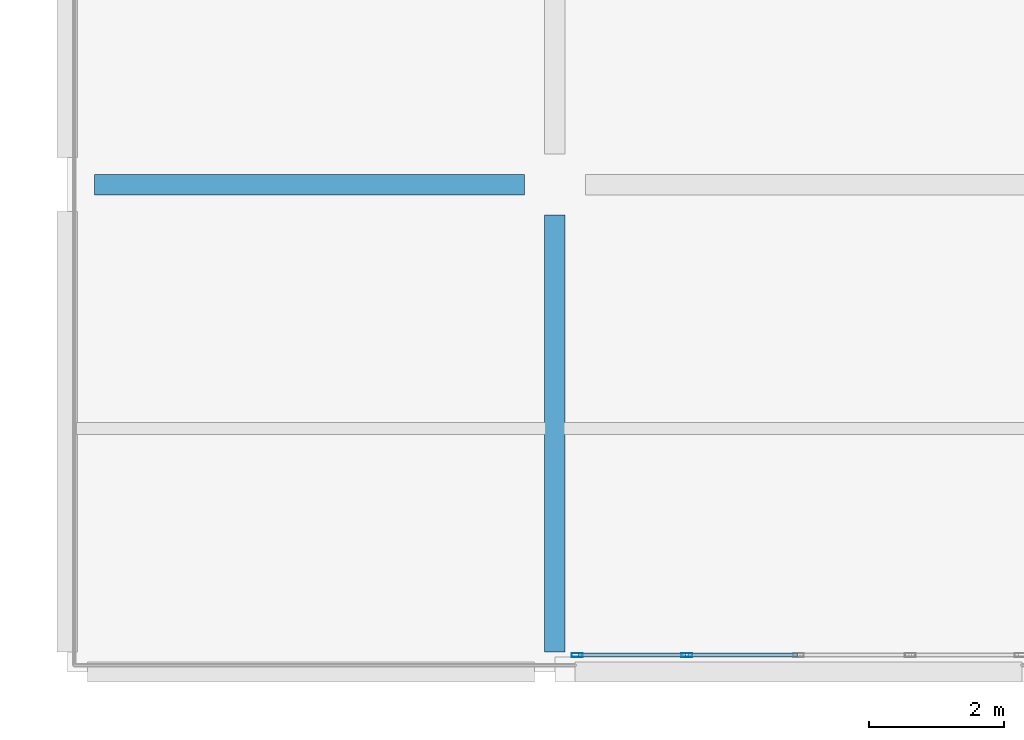
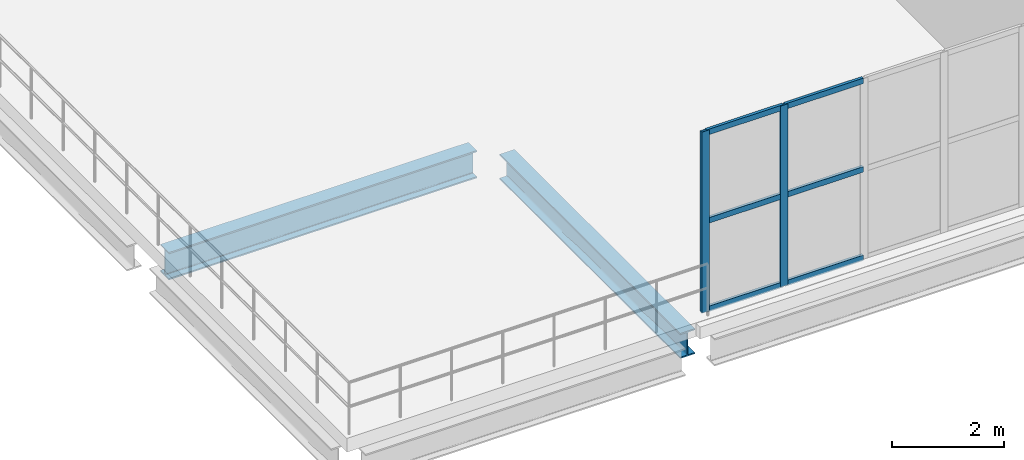
# One storey, part 5 of 153: 8 members, 2 beams, 1 element without a shape of its own.
"""IFC4 building model written with IfcOpenShell, lengths in metres."""

from ifc_helpers import new_model, si_unit, direction, frame, origin, origin_2d, place, context, subcontext, project, spatial, hollow_rectangle, i_section, extrude, material, material_profile, profile_set, type_object, element, aggregate, save


model = new_model("IFC4")

# Units and contexts
model_context = context("Model", 3, precision=1e-05, world=origin(), true_north=direction((0.0, 1.0)))
body_context = subcontext(model_context, "Body", "Model", "MODEL_VIEW")
ifc_project = project(units=[si_unit("LENGTHUNIT", "METRE"), si_unit("AREAUNIT", "SQUARE_METRE"), si_unit("VOLUMEUNIT", "CUBIC_METRE"), si_unit("PLANEANGLEUNIT", "RADIAN"), si_unit("MASSUNIT", "GRAM", prefix="KILO")], contexts=[model_context])

# Site, building, storey
site_placement = place(None, origin())
site = spatial("IfcSite", under=ifc_project, at=site_placement, CompositionType="ELEMENT")
building_placement = place(site_placement, origin())
building = spatial("IfcBuilding", under=site, at=building_placement, Name="Qandorah Velis Arena", CompositionType="ELEMENT")
storey_placement = place(building_placement, frame((0.0, 0.0, 5.39990234375)))
storey = spatial("IfcBuildingStorey", under=building, at=storey_placement, Name="L01", CompositionType="ELEMENT", Elevation=5.39990234375)

# Curtain wall, members
ifc_material_1 = material(Name="Solar-control low-E double glazing", Category="glass")
curtain_wall_type = type_object("IfcCurtainWallType", Name="ARC-CW-SYS07", PredefinedType="USERDEFINED", material=ifc_material_1)
curtain_wall_placement = place(storey_placement, origin())
curtain_wall = element("IfcCurtainWall", 1, at=curtain_wall_placement, inside=storey, type_object=curtain_wall_type, Name="Unitised curtain wall L01-055", ObjectType="UNITISED CURTAIN WALL", PredefinedType="USERDEFINED")
ifc_material_2 = material(Name="Champagne-bronze anodized aluminium 6063-T6", Category="aluminium")
ifc_material_profile_1 = material_profile(ifc_material_2, hollow_rectangle(XDim=0.06005859375, YDim=0.159912109375, WallThickness=0.00341796875, at=origin_2d()), Name="ALU MULLION 60x160")
ifc_profile_set_1 = profile_set([ifc_material_profile_1], Name="Champagne-bronze anodized aluminium 6063-T6")
member_type_1 = type_object("IfcMemberType", Name="ARC-CWM-160", PredefinedType="MULLION", material=ifc_profile_set_1)
member_1_placement = place(storey_placement, frame((7.530029296875, 0.25, -0.014892578125), z_axis=(0.0, 0.0, 1.0), x_axis=(0.0, 1.0, 0.0)))
member_1 = element("IfcMember", 2, at=member_1_placement, type_object=member_type_1, Name="CW07 mullion 1", PredefinedType="MULLION", context=body_context, shape_type="SweptSolid", body=[
    extrude(hollow_rectangle(XDim=0.06005859375, YDim=0.159912109375, WallThickness=0.00341796875, at=origin_2d()), origin(), (0.0, 0.0, 1.0), 3.949951171875),
])
member_2_placement = place(storey_placement, frame((9.14990234375, 0.25, -0.014892578125), z_axis=(0.0, 0.0, 1.0), x_axis=(0.0, 1.0, 0.0)))
member_2 = element("IfcMember", 3, at=member_2_placement, type_object=member_type_1, Name="CW07 mullion 2", PredefinedType="MULLION", context=body_context, shape_type="SweptSolid", body=[
    extrude(hollow_rectangle(XDim=0.06005859375, YDim=0.159912109375, WallThickness=0.00341796875, at=origin_2d()), origin(), (0.0, 0.0, 1.0), 3.949951171875),
])
ifc_material_profile_2 = material_profile(ifc_material_2, hollow_rectangle(XDim=0.06005859375, YDim=0.1201171875, WallThickness=0.0029296875, at=origin_2d()), Name="ALU TRANSOM 60x120")
ifc_profile_set_2 = profile_set([ifc_material_profile_2], Name="Champagne-bronze anodized aluminium 6063-T6")
member_type_2 = type_object("IfcMemberType", Name="ARC-CWT-120", PredefinedType="USERDEFINED", material=ifc_profile_set_2)
member_3_placement = place(storey_placement, frame((7.548095703125, 0.25, 0.030029296875), z_axis=(1.0, 0.0, 0.0), x_axis=(0.0, 1.0, 0.0)))
member_3 = element("IfcMember", 4, at=member_3_placement, type_object=member_type_2, Name="CW07 transom 1.1", ObjectType="TRANSOM", PredefinedType="USERDEFINED", context=body_context, shape_type="SweptSolid", body=[
    extrude(hollow_rectangle(XDim=0.06005859375, YDim=0.1201171875, WallThickness=0.0029296875, at=origin_2d()), origin(), (0.0, 0.0, 1.0), 1.583984375),
])
member_4_placement = place(storey_placement, frame((7.548095703125, 0.25, 1.960205078125), z_axis=(1.0, 0.0, 0.0), x_axis=(0.0, 1.0, 0.0)))
member_4 = element("IfcMember", 5, at=member_4_placement, type_object=member_type_2, Name="CW07 transom 1.2", ObjectType="TRANSOM", PredefinedType="USERDEFINED", context=body_context, shape_type="SweptSolid", body=[
    extrude(hollow_rectangle(XDim=0.06005859375, YDim=0.1201171875, WallThickness=0.0029296875, at=origin_2d()), origin(), (0.0, 0.0, 1.0), 1.583984375),
])
member_5_placement = place(storey_placement, frame((7.548095703125, 0.25, 3.89013671875), z_axis=(1.0, 0.0, 0.0), x_axis=(0.0, 1.0, 0.0)))
member_5 = element("IfcMember", 6, at=member_5_placement, type_object=member_type_2, Name="CW07 transom 1.3", ObjectType="TRANSOM", PredefinedType="USERDEFINED", context=body_context, shape_type="SweptSolid", body=[
    extrude(hollow_rectangle(XDim=0.06005859375, YDim=0.1201171875, WallThickness=0.0029296875, at=origin_2d()), origin(), (0.0, 0.0, 1.0), 1.583984375),
])
member_6_placement = place(storey_placement, frame((9.16796875, 0.25, 0.030029296875), z_axis=(1.0, 0.0, 0.0), x_axis=(0.0, 1.0, 0.0)))
member_6 = element("IfcMember", 7, at=member_6_placement, type_object=member_type_2, Name="CW07 transom 2.1", ObjectType="TRANSOM", PredefinedType="USERDEFINED", context=body_context, shape_type="SweptSolid", body=[
    extrude(hollow_rectangle(XDim=0.06005859375, YDim=0.1201171875, WallThickness=0.0029296875, at=origin_2d()), origin(), (0.0, 0.0, 1.0), 1.614013671875),
])
member_7_placement = place(storey_placement, frame((9.16796875, 0.25, 1.960205078125), z_axis=(1.0, 0.0, 0.0), x_axis=(0.0, 1.0, 0.0)))
member_7 = element("IfcMember", 8, at=member_7_placement, type_object=member_type_2, Name="CW07 transom 2.2", ObjectType="TRANSOM", PredefinedType="USERDEFINED", context=body_context, shape_type="SweptSolid", body=[
    extrude(hollow_rectangle(XDim=0.06005859375, YDim=0.1201171875, WallThickness=0.0029296875, at=origin_2d()), origin(), (0.0, 0.0, 1.0), 1.614013671875),
])
member_8_placement = place(storey_placement, frame((9.16796875, 0.25, 3.89013671875), z_axis=(1.0, 0.0, 0.0), x_axis=(0.0, 1.0, 0.0)))
member_8 = element("IfcMember", 9, at=member_8_placement, type_object=member_type_2, Name="CW07 transom 2.3", ObjectType="TRANSOM", PredefinedType="USERDEFINED", context=body_context, shape_type="SweptSolid", body=[
    extrude(hollow_rectangle(XDim=0.06005859375, YDim=0.1201171875, WallThickness=0.0029296875, at=origin_2d()), origin(), (0.0, 0.0, 1.0), 1.614013671875),
])
aggregate(curtain_wall, [member_1, member_2, member_3, member_4, member_5, member_6, member_7, member_8])

# Beams
ifc_material_3 = material(Name="Steel S355", Category="steel")
ifc_material_profile_3 = material_profile(ifc_material_3, i_section(OverallWidth=0.300048828125, OverallDepth=0.550048828125, WebThickness=0.014892578125, FlangeThickness=0.029052734375, FilletRadius=0.027099609375, at=origin_2d()), Name="HEB 550")
ifc_profile_set_3 = profile_set([ifc_material_profile_3], Name="Steel S355")
beam_type_1 = type_object("IfcBeamType", Name="STR-BM-HEB550", PredefinedType="BEAM", material=ifc_profile_set_3)
beam_1_placement = place(storey_placement, frame((7.199951171875, 0.300048828125, -0.635009765625), z_axis=(0.0, 1.0, 0.0), x_axis=(-1.0, 0.0, 0.0)))
element("IfcBeam", 10, at=beam_1_placement, inside=storey, type_object=beam_type_1, Name="Primary floor girder L01 Y-238", PredefinedType="BEAM", context=body_context, shape_type="SweptSolid", body=[
    extrude(i_section(OverallWidth=0.300048828125, OverallDepth=0.550048828125, WebThickness=0.014892578125, FlangeThickness=0.029052734375, FilletRadius=0.027099609375, at=origin_2d()), origin(), (0.0, 0.0, 1.0), 6.449951171875),
])
ifc_material_profile_4 = material_profile(ifc_material_3, i_section(OverallWidth=0.300048828125, OverallDepth=0.60009765625, WebThickness=0.015380859375, FlangeThickness=0.030029296875, FilletRadius=0.027099609375, at=origin_2d()), Name="HEB 600")
ifc_profile_set_4 = profile_set([ifc_material_profile_4], Name="Steel S355")
beam_type_2 = type_object("IfcBeamType", Name="STR-BM-HEB600", PredefinedType="BEAM", material=ifc_profile_set_4)
beam_2_placement = place(storey_placement, frame((0.39990234375, 7.199951171875, -0.659912109375), z_axis=(1.0, 0.0, 0.0), x_axis=(0.0, 1.0, 0.0)))
element("IfcBeam", 11, at=beam_2_placement, inside=storey, type_object=beam_type_2, Name="Primary floor girder L01 X-017", PredefinedType="BEAM", context=body_context, shape_type="SweptSolid", body=[
    extrude(i_section(OverallWidth=0.300048828125, OverallDepth=0.60009765625, WebThickness=0.015380859375, FlangeThickness=0.030029296875, FilletRadius=0.027099609375, at=origin_2d()), origin(), (0.0, 0.0, 1.0), 6.35009765625),
])

save(model, "model.ifc")
